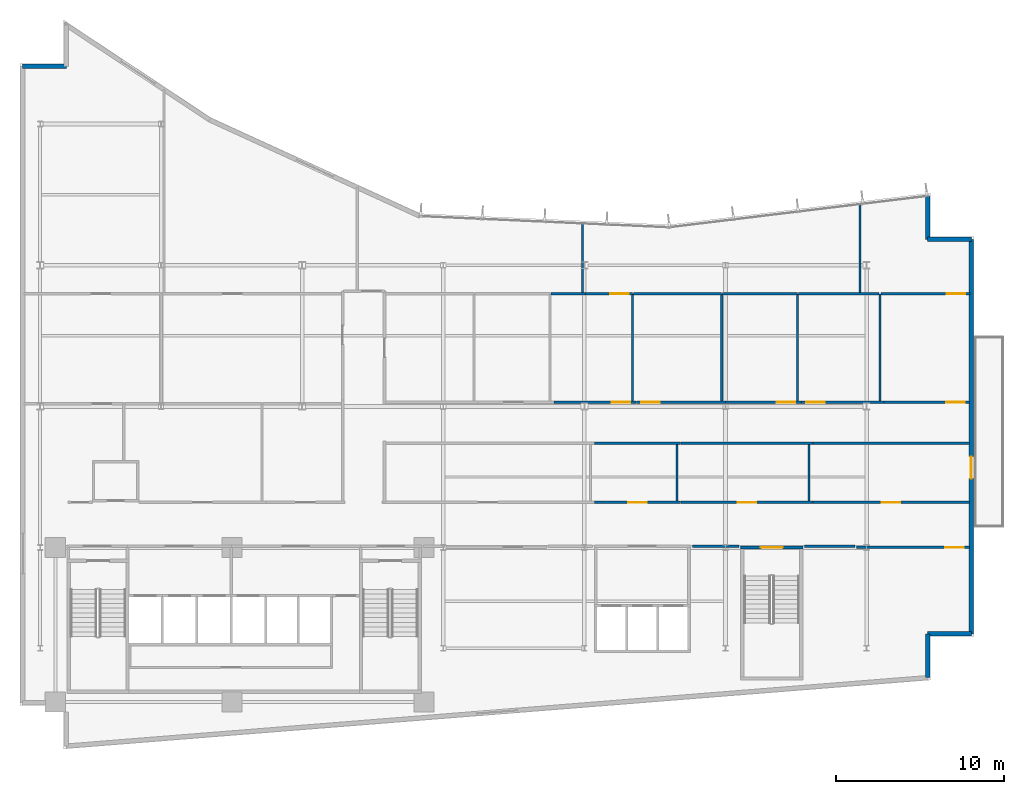
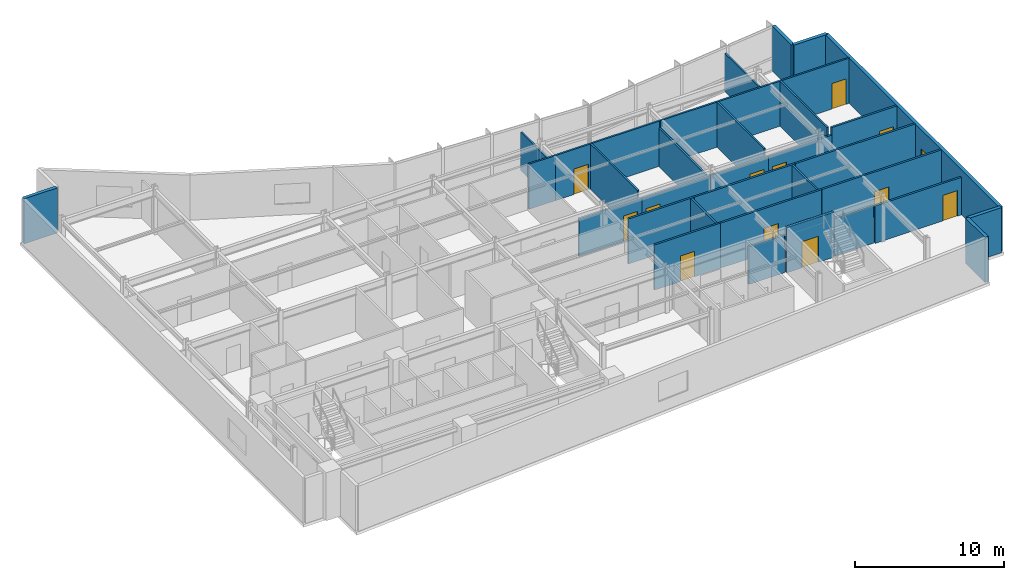
# One storey, part 11 of 17: 35 walls, 13 doors, 13 openings.
"""IFC4 building model written with IfcOpenShell, lengths in metres."""

from ifc_helpers import new_model, si_unit, direction, frame, frame_2d, origin, place, context, subcontext, project, spatial, rectangle, extrude, material, layer, layer_set, type_object, element, fill, save


model = new_model("IFC4")

# Units and contexts
model_context = context("Model", 3, precision=1e-05, world=origin(), true_north=direction((0.0, 1.0)))
body_context = subcontext(model_context, "Body", "Model", "MODEL_VIEW")
ifc_project = project(units=[si_unit("LENGTHUNIT", "METRE"), si_unit("AREAUNIT", "SQUARE_METRE"), si_unit("VOLUMEUNIT", "CUBIC_METRE"), si_unit("PLANEANGLEUNIT", "RADIAN"), si_unit("MASSUNIT", "GRAM", prefix="KILO")], contexts=[model_context])

# Site, building, storey
site_placement = place(None, origin())
site = spatial("IfcSite", under=ifc_project, at=site_placement, CompositionType="ELEMENT")
building_placement = place(site_placement, origin())
building = spatial("IfcBuilding", under=site, at=building_placement, Name="Varnakote Quay Hospital", CompositionType="ELEMENT")
storey_placement = place(building_placement, frame((0.0, 0.0, 134.949951171875)))
storey = spatial("IfcBuildingStorey", under=building, at=storey_placement, Name="L33", CompositionType="ELEMENT", Elevation=134.949951171875)

# Walls
ifc_material_1 = material(Name="Fire-rated acoustic gypsum stud wall", Category="gypsum")
ifc_layer_1 = layer(ifc_material_1, 0.159912109375)
ifc_layer_set_1 = layer_set([ifc_layer_1], Name="Fire-rated acoustic gypsum stud wall")
wall_type_1 = type_object("IfcWallType", Name="WL-COMP-160", PredefinedType="PARTITIONING", material=ifc_layer_set_1)
wall_1_placement = place(storey_placement, frame((40.030029296875, 12.080078125, 0.0), z_axis=(0.0, 0.0, 1.0), x_axis=(1.0, 0.0, 0.0)))
element("IfcWall", 1, at=wall_1_placement, inside=storey, type_object=wall_type_1, Name="L33 Corridor South Gap Wall", PredefinedType="PARTITIONING", context=body_context, shape_type="SweptSolid", body=[
    extrude(rectangle(XDim=2.78076171875, YDim=0.159912109375, at=frame_2d((1.390380859375, 0.0))), origin(), (0.0, 0.0, 1.0), 3.0830078125),
])
wall_2_placement = place(storey_placement, frame((46.689208984375, 12.080078125, 0.0), z_axis=(0.0, 0.0, 1.0), x_axis=(1.0, 0.0, 0.0)))
element("IfcWall", 2, at=wall_2_placement, inside=storey, type_object=wall_type_1, Name="L33 Corridor South Gap Wall", PredefinedType="PARTITIONING", context=body_context, shape_type="SweptSolid", body=[
    extrude(rectangle(XDim=3.0107421875, YDim=0.159912109375, at=frame_2d((1.50537109375, 0.0))), origin(), (0.0, 0.0, 1.0), 3.0830078125),
])
ifc_material_2 = material(Name="Precast concrete N50 (f'c 50 MPa)", Category="concrete")
ifc_layer_2 = layer(ifc_material_2, 0.260009765625)
ifc_layer_set_2 = layer_set([ifc_layer_2], Name="Precast concrete N50 (f'c 50 MPa)")
wall_type_2 = type_object("IfcWallType", Name="WL-EXT-BRICK-260", PredefinedType="STANDARD", material=ifc_layer_set_2)
wall_3_placement = place(storey_placement, frame((54.0400390625, 4.247802734375, 0.0), z_axis=(0.0, 0.0, 1.0), x_axis=(0.0, 1.0, 0.0)))
element("IfcWall", 3, at=wall_3_placement, inside=storey, type_object=wall_type_2, Name="L33 Brick-Faced Precast Exterior Wall", PredefinedType="STANDARD", context=body_context, shape_type="SweptSolid", body=[
    extrude(rectangle(XDim=2.6123046875, YDim=0.260009765625, at=frame_2d((1.30615234375, 0.0))), origin(), (0.0, 0.0, 1.0), 3.7099609375),
])
wall_4_placement = place(storey_placement, frame((54.0400390625, 6.860107421875, 0.0), z_axis=(0.0, 0.0, 1.0), x_axis=(1.0, 0.0, 0.0)))
element("IfcWall", 4, at=wall_4_placement, inside=storey, type_object=wall_type_2, Name="L33 Brick-Faced Precast Exterior Wall", PredefinedType="STANDARD", context=body_context, shape_type="SweptSolid", body=[
    extrude(rectangle(XDim=2.599853515625, YDim=0.260009765625, at=frame_2d((1.2998046875, 0.0))), origin(), (0.0, 0.0, 1.0), 3.7099609375),
])

# Wall, opening, door
wall_5_placement = place(storey_placement, frame((56.639892578125, 6.860107421875, 0.0), z_axis=(0.0, 0.0, 1.0), x_axis=(0.0, 1.0, 0.0)))
wall_5 = element("IfcWall", 5, at=wall_5_placement, inside=storey, type_object=wall_type_2, Name="L33 Healing Terrace Portal Brick Wall", PredefinedType="STANDARD", context=body_context, shape_type="SweptSolid", body=[
    extrude(rectangle(XDim=23.47998046875, YDim=0.260009765625, at=frame_2d((11.739990234375, 0.0))), origin(), (0.0, 0.0, 1.0), 3.7099609375),
])
opening_1_placement = place(wall_5_placement, frame((9.239990234375, 0.0, 0.0)))
opening_1 = element("IfcOpeningElement", 6, at=opening_1_placement, cuts=wall_5, Name="Opening DT-L33", PredefinedType="OPENING", context=body_context, shape_type="SweptSolid", body=[
    extrude(rectangle(XDim=1.300048828125, YDim=2.14990234375, at=frame_2d((0.64990234375, 1.074951171875))), frame((0.0, 0.139892578125, 0.0), z_axis=(0.0, -1.0, 0.0), x_axis=(1.0, 0.0, 0.0)), (0.0, 0.0, 1.0), 0.280029296875),
])
ifc_material_3 = material(Name="Anodised aluminium glazed terrace door", Category="aluminium")
door_type_1 = type_object("IfcDoorType", Name="DR-EXT-TERR-1300x2150", OperationType="NOTDEFINED", PredefinedType="DOOR", material=ifc_material_3)
door_1_placement = place(opening_1_placement, origin())
door_1 = element("IfcDoor", 7, at=door_1_placement, inside=storey, type_object=door_type_1, Name="L33 Waterfront Healing Terrace Door", OperationType="SINGLE_SWING_RIGHT", OverallHeight=2.14990234375, OverallWidth=1.300048828125, PredefinedType="DOOR", context=body_context, shape_type="SweptSolid", body=[
    extrude(rectangle(XDim=1.300048828125, YDim=2.14990234375, at=frame_2d((0.64990234375, 1.074951171875))), frame((0.0, 0.02490234375, 0.0), z_axis=(0.0, -1.0, 0.0), x_axis=(1.0, 0.0, 0.0)), (0.0, 0.0, 1.0), 0.050048828125),
])
fill(opening_1, door_1)

# Walls
wall_6_placement = place(storey_placement, frame((56.639892578125, 30.340087890625, 0.0), z_axis=(0.0, 0.0, 1.0), x_axis=(-1.0, 0.0, 0.0)))
element("IfcWall", 8, at=wall_6_placement, inside=storey, type_object=wall_type_2, Name="L33 Brick-Faced Precast Exterior Wall", PredefinedType="STANDARD", context=body_context, shape_type="SweptSolid", body=[
    extrude(rectangle(XDim=2.599853515625, YDim=0.260009765625, at=frame_2d((1.2998046875, 0.0))), origin(), (0.0, 0.0, 1.0), 3.7099609375),
])
wall_7_placement = place(storey_placement, frame((54.0400390625, 30.340087890625, 0.0), z_axis=(0.0, 0.0, 1.0), x_axis=(0.0, 1.0, 0.0)))
element("IfcWall", 9, at=wall_7_placement, inside=storey, type_object=wall_type_2, Name="L33 Brick-Faced Precast Exterior Wall", PredefinedType="STANDARD", context=body_context, shape_type="SweptSolid", body=[
    extrude(rectangle(XDim=2.579345703125, YDim=0.260009765625, at=frame_2d((1.28955078125, 0.0))), origin(), (0.0, 0.0, 1.0), 3.7099609375),
])
wall_8_placement = place(storey_placement, frame((2.760009765625, 40.639892578125, 0.0), z_axis=(0.0, 0.0, 1.0), x_axis=(-1.0, 0.0, 0.0)))
element("IfcWall", 10, at=wall_8_placement, inside=storey, type_object=wall_type_2, Name="L33 Brick-Faced Precast Exterior Wall", PredefinedType="STANDARD", context=body_context, shape_type="SweptSolid", body=[
    extrude(rectangle(XDim=2.60009765625, YDim=0.260009765625, at=frame_2d((1.300048828125, 0.0))), origin(), (0.0, 0.0, 1.0), 3.7099609375),
])

# Wall, opening, door
ifc_material_4 = material(Name="Concrete N50 (f'c 50 MPa)", Category="concrete")
ifc_layer_3 = layer(ifc_material_4, 0.199951171875)
ifc_layer_set_3 = layer_set([ifc_layer_3], Name="Concrete N50 (f'c 50 MPa)")
wall_type_3 = type_object("IfcWallType", Name="WL-SHAFT-N50-200", PredefinedType="SHEAR", material=ifc_layer_set_3)
wall_9_placement = place(storey_placement, frame((42.89990234375, 12.0, 0.0), z_axis=(0.0, 0.0, 1.0), x_axis=(1.0, 0.0, 0.0)))
wall_9 = element("IfcWall", 11, at=wall_9_placement, inside=storey, type_object=wall_type_3, Name="L33 Stair ST3 Exit Wall", PredefinedType="SHEAR", context=body_context, shape_type="SweptSolid", body=[
    extrude(rectangle(XDim=3.7001953125, YDim=0.199951171875, at=frame_2d((1.85009765625, 0.0))), origin(), (0.0, 0.0, 1.0), 3.7099609375),
])
opening_2_placement = place(wall_9_placement, frame((1.199951171875, 0.0, 0.0)))
opening_2 = element("IfcOpeningElement", 12, at=opening_2_placement, cuts=wall_9, Name="Opening D-ST3-L33", PredefinedType="OPENING", context=body_context, shape_type="SweptSolid", body=[
    extrude(rectangle(XDim=1.300048828125, YDim=2.14990234375, at=frame_2d((0.64990234375, 1.074951171875))), frame((0.0, 0.10986328125, 0.0), z_axis=(0.0, -1.0, 0.0), x_axis=(1.0, 0.0, 0.0)), (0.0, 0.0, 1.0), 0.219970703125),
])
ifc_material_5 = material(Name="Fire-rated ceramic-glazed timber exit door", Category="wood")
door_type_2 = type_object("IfcDoorType", Name="DR-STAIR-FD60S-1300x2150", OperationType="NOTDEFINED", PredefinedType="DOOR", material=ifc_material_5)
door_2_placement = place(opening_2_placement, origin())
door_2 = element("IfcDoor", 13, at=door_2_placement, inside=storey, type_object=door_type_2, Name="L33 Stair ST3 Fire Exit Door", OperationType="SINGLE_SWING_RIGHT", OverallHeight=2.14990234375, OverallWidth=1.300048828125, PredefinedType="DOOR", context=body_context, shape_type="SweptSolid", body=[
    extrude(rectangle(XDim=1.300048828125, YDim=2.14990234375, at=frame_2d((0.64990234375, 1.074951171875))), frame((0.0, 0.02490234375, 0.0), z_axis=(0.0, -1.0, 0.0), x_axis=(1.0, 0.0, 0.0)), (0.0, 0.0, 1.0), 0.050048828125),
])
fill(opening_2, door_2)

# Walls
ifc_material_6 = material(Name="Smoke-proof clinical partition", Category="gypsum")
ifc_layer_4 = layer(ifc_material_6, 0.135009765625)
ifc_layer_set_4 = layer_set([ifc_layer_4], Name="Smoke-proof clinical partition")
wall_type_4 = type_object("IfcWallType", Name="WL-SMOKE-135", PredefinedType="PARTITIONING", material=ifc_layer_set_4)
for number, where, z_axis, x_axis, name in (
    (14, (39.110107421875, 14.760009765625, 0.0), (0.0, 0.0, 1.0), (0.0, 1.0, 0.0), "L33 Clinical Interior Partition"),
    (15, (46.969970703125, 14.760009765625, 0.0), (0.0, 0.0, 1.0), (0.0, 1.0, 0.0), "L33 Clinical Interior Partition"),
):
    element("IfcWall", number, at=place(storey_placement, frame(where, z_axis=z_axis, x_axis=x_axis)), inside=storey, type_object=wall_type_4, Name=name, PredefinedType="PARTITIONING", context=body_context, shape_type="SweptSolid", body=[
        extrude(rectangle(XDim=3.360107421875, YDim=0.135009765625, at=frame_2d((1.68017578125, 0.0))), origin(), (0.0, 0.0, 1.0), 3.7099609375),
    ])
wall_10_placement = place(storey_placement, frame((36.4599609375, 20.715087890625, 0.0), z_axis=(0.0, 0.0, 1.0), x_axis=(0.0, 1.0, 0.0)))
element("IfcWall", 16, at=wall_10_placement, inside=storey, type_object=wall_type_4, Name="L33 Clinical Interior Partition", PredefinedType="PARTITIONING", context=body_context, shape_type="SweptSolid", body=[
    extrude(rectangle(XDim=6.385009765625, YDim=0.135009765625, at=frame_2d((3.1923828125, 0.0))), origin(), (0.0, 0.0, 1.0), 3.7099609375),
])
wall_11_placement = place(storey_placement, frame((33.66845703125, 27.10009765625, 0.0), z_axis=(0.0, 0.0, 1.0), x_axis=(-1.0, 0.0, 0.0)))
element("IfcWall", 17, at=wall_11_placement, inside=storey, type_object=wall_type_4, Name="L33 Clinical Interior Partition", PredefinedType="PARTITIONING", context=body_context, shape_type="SweptSolid", body=[
    extrude(rectangle(XDim=2.06103515625, YDim=0.135009765625, at=frame_2d((1.030517578125, 0.0))), origin(), (0.0, 0.0, 1.0), 3.7099609375),
])

# Wall, opening, door
wall_12_placement = place(storey_placement, frame((36.4599609375, 27.10009765625, 0.0), z_axis=(0.0, 0.0, 1.0), x_axis=(-1.0, 0.0, 0.0)))
wall_12 = element("IfcWall", 18, at=wall_12_placement, inside=storey, type_object=wall_type_4, Name="L33 Clinical Interior Partition", PredefinedType="PARTITIONING", context=body_context, shape_type="SweptSolid", body=[
    extrude(rectangle(XDim=2.78955078125, YDim=0.135009765625, at=frame_2d((1.394775390625, 0.0))), origin(), (0.0, 0.0, 1.0), 3.7099609375),
])
opening_3_placement = place(wall_12_placement, frame((0.232177734375, 0.0, 0.0)))
opening_3 = element("IfcOpeningElement", 19, at=opening_3_placement, cuts=wall_12, Name="Opening D-L33-MD19", PredefinedType="OPENING", context=body_context, shape_type="SweptSolid", body=[
    extrude(rectangle(XDim=1.10009765625, YDim=2.10009765625, at=frame_2d((0.550048828125, 1.050048828125))), frame((0.0, 0.077392578125, 0.0), z_axis=(0.0, -1.0, 0.0), x_axis=(1.0, 0.0, 0.0)), (0.0, 0.0, 1.0), 0.155029296875),
])
ifc_material_7 = material(Name="Acoustic timber clinical consult door", Category="wood")
door_type_3 = type_object("IfcDoorType", Name="DR-CLIN-FD30S-1100x2100", OperationType="NOTDEFINED", PredefinedType="DOOR", material=ifc_material_7)
door_3_placement = place(opening_3_placement, origin())
door_3 = element("IfcDoor", 20, at=door_3_placement, inside=storey, type_object=door_type_3, Name="L33 Ward Nutrition Pantry Door", OperationType="SINGLE_SWING_LEFT", OverallHeight=2.10009765625, OverallWidth=1.10009765625, PredefinedType="DOOR", context=body_context, shape_type="SweptSolid", body=[
    extrude(rectangle(XDim=1.10009765625, YDim=2.10009765625, at=frame_2d((0.550048828125, 1.050048828125))), frame((0.0, 0.02490234375, 0.0), z_axis=(0.0, -1.0, 0.0), x_axis=(1.0, 0.0, 0.0)), (0.0, 0.0, 1.0), 0.050048828125),
])
fill(opening_3, door_3)

# Walls
wall_13_placement = place(storey_placement, frame((41.77001953125, 20.715087890625, 0.0), z_axis=(0.0, 0.0, 1.0), x_axis=(0.0, 1.0, 0.0)))
element("IfcWall", 21, at=wall_13_placement, inside=storey, type_object=wall_type_4, Name="L33 Clinical Interior Partition", PredefinedType="PARTITIONING", context=body_context, shape_type="SweptSolid", body=[
    extrude(rectangle(XDim=6.385009765625, YDim=0.135009765625, at=frame_2d((3.1923828125, 0.0))), origin(), (0.0, 0.0, 1.0), 3.152099609375),
])
wall_14_placement = place(storey_placement, frame((41.77001953125, 27.10009765625, 0.0), z_axis=(0.0, 0.0, 1.0), x_axis=(-1.0, 0.0, 0.0)))
element("IfcWall", 22, at=wall_14_placement, inside=storey, type_object=wall_type_4, Name="L33 Clinical Interior Partition", PredefinedType="PARTITIONING", context=body_context, shape_type="SweptSolid", body=[
    extrude(rectangle(XDim=5.25244140625, YDim=0.135009765625, at=frame_2d((2.626220703125, 0.0))), origin(), (0.0, 0.0, 1.0), 3.7099609375),
])
wall_15_placement = place(storey_placement, frame((46.2900390625, 20.715087890625, 0.0), z_axis=(0.0, 0.0, 1.0), x_axis=(0.0, 1.0, 0.0)))
element("IfcWall", 23, at=wall_15_placement, inside=storey, type_object=wall_type_4, Name="L33 Clinical Interior Partition", PredefinedType="PARTITIONING", context=body_context, shape_type="SweptSolid", body=[
    extrude(rectangle(XDim=6.385009765625, YDim=0.135009765625, at=frame_2d((3.1923828125, 0.0))), origin(), (0.0, 0.0, 1.0), 3.7099609375),
])
wall_16_placement = place(storey_placement, frame((46.2900390625, 27.10009765625, 0.0), z_axis=(0.0, 0.0, 1.0), x_axis=(-1.0, 0.0, 0.0)))
element("IfcWall", 24, at=wall_16_placement, inside=storey, type_object=wall_type_4, Name="L33 Clinical Interior Partition", PredefinedType="PARTITIONING", context=body_context, shape_type="SweptSolid", body=[
    extrude(rectangle(XDim=4.462646484375, YDim=0.135009765625, at=frame_2d((2.2314453125, 0.0))), origin(), (0.0, 0.0, 1.0), 3.7099609375),
])
wall_17_placement = place(storey_placement, frame((51.199951171875, 20.715087890625, 0.0), z_axis=(0.0, 0.0, 1.0), x_axis=(0.0, 1.0, 0.0)))
element("IfcWall", 25, at=wall_17_placement, inside=storey, type_object=wall_type_4, Name="L33 Clinical Interior Partition", PredefinedType="PARTITIONING", context=body_context, shape_type="SweptSolid", body=[
    extrude(rectangle(XDim=6.385009765625, YDim=0.135009765625, at=frame_2d((3.1923828125, 0.0))), origin(), (0.0, 0.0, 1.0), 3.7099609375),
])
wall_18_placement = place(storey_placement, frame((51.142578125, 27.10009765625, 0.0), z_axis=(0.0, 0.0, 1.0), x_axis=(-1.0, 0.0, 0.0)))
element("IfcWall", 26, at=wall_18_placement, inside=storey, type_object=wall_type_4, Name="L33 Clinical Interior Partition", PredefinedType="PARTITIONING", context=body_context, shape_type="SweptSolid", body=[
    extrude(rectangle(XDim=4.795166015625, YDim=0.135009765625, at=frame_2d((2.3974609375, 0.0))), origin(), (0.0, 0.0, 1.0), 3.7099609375),
])

# Wall, opening, door
wall_19_placement = place(storey_placement, frame((56.56005859375, 27.10009765625, 0.0), z_axis=(0.0, 0.0, 1.0), x_axis=(-1.0, 0.0, 0.0)))
wall_19 = element("IfcWall", 27, at=wall_19_placement, inside=storey, type_object=wall_type_4, Name="L33 Clinical Interior Partition", PredefinedType="PARTITIONING", context=body_context, shape_type="SweptSolid", body=[
    extrude(rectangle(XDim=5.302490234375, YDim=0.135009765625, at=frame_2d((2.6513671875, 0.0))), origin(), (0.0, 0.0, 1.0), 3.7099609375),
])
opening_4_placement = place(wall_19_placement, frame((0.295166015625, 0.0, 0.0)))
opening_4 = element("IfcOpeningElement", 28, at=opening_4_placement, cuts=wall_19, Name="Opening D-L33-MD20", PredefinedType="OPENING", context=body_context, shape_type="SweptSolid", body=[
    extrude(rectangle(XDim=1.10009765625, YDim=2.10009765625, at=frame_2d((0.550048828125, 1.050048828125))), frame((0.0, 0.077392578125, 0.0), z_axis=(0.0, -1.0, 0.0), x_axis=(1.0, 0.0, 0.0)), (0.0, 0.0, 1.0), 0.155029296875),
])
door_4_placement = place(opening_4_placement, origin())
door_4 = element("IfcDoor", 29, at=door_4_placement, inside=storey, type_object=door_type_3, Name="L33 Clinical Coordinator Office Door", OperationType="SINGLE_SWING_RIGHT", OverallHeight=2.10009765625, OverallWidth=1.10009765625, PredefinedType="DOOR", context=body_context, shape_type="SweptSolid", body=[
    extrude(rectangle(XDim=1.10009765625, YDim=2.10009765625, at=frame_2d((0.550048828125, 1.050048828125))), frame((0.0, 0.02490234375, 0.0), z_axis=(0.0, -1.0, 0.0), x_axis=(1.0, 0.0, 0.0)), (0.0, 0.0, 1.0), 0.050048828125),
])
fill(opening_4, door_4)

# Walls
wall_20_placement = place(storey_placement, frame((33.489990234375, 27.157470703125, 0.0), z_axis=(0.0, 0.0, 1.0), x_axis=(0.0, 1.0, 0.0)))
element("IfcWall", 30, at=wall_20_placement, inside=storey, type_object=wall_type_4, Name="L33 Clinical Interior Partition", PredefinedType="PARTITIONING", context=body_context, shape_type="SweptSolid", body=[
    extrude(rectangle(XDim=4.12451171875, YDim=0.135009765625, at=frame_2d((2.062255859375, 0.0))), origin(), (0.0, 0.0, 1.0), 3.152099609375),
])
wall_21_placement = place(storey_placement, frame((50.010009765625, 27.157470703125, 0.0), z_axis=(0.0, 0.0, 1.0), x_axis=(0.0, 1.0, 0.0)))
element("IfcWall", 31, at=wall_21_placement, inside=storey, type_object=wall_type_4, Name="L33 Clinical Interior Partition", PredefinedType="PARTITIONING", context=body_context, shape_type="SweptSolid", body=[
    extrude(rectangle(XDim=5.2734375, YDim=0.135009765625, at=frame_2d((2.63671875, 0.0))), origin(), (0.0, 0.0, 1.0), 3.152099609375),
])

# Wall, opening, door
ifc_material_8 = material(Name="Fire-rated clinical gypsum partition", Category="gypsum")
ifc_layer_5 = layer(ifc_material_8, 0.14990234375)
ifc_layer_set_5 = layer_set([ifc_layer_5], Name="Fire-rated clinical gypsum partition")
wall_type_5 = type_object("IfcWallType", Name="WL-WARD-150", PredefinedType="PARTITIONING", material=ifc_layer_set_5)
wall_22_placement = place(storey_placement, frame((56.52001953125, 12.0, 0.0), z_axis=(0.0, 0.0, 1.0), x_axis=(-1.0, 0.0, 0.0)))
wall_22 = element("IfcWall", 32, at=wall_22_placement, inside=storey, type_object=wall_type_5, Name="L33 Clinical Interior Partition", PredefinedType="PARTITIONING", context=body_context, shape_type="SweptSolid", body=[
    extrude(rectangle(XDim=6.719970703125, YDim=0.14990234375, at=frame_2d((3.35986328125, 0.0))), origin(), (0.0, 0.0, 1.0), 3.0830078125),
])
opening_5_placement = place(wall_22_placement, frame((0.33056640625, 0.0, 0.0)))
opening_5 = element("IfcOpeningElement", 33, at=opening_5_placement, cuts=wall_22, Name="Opening D-L33-SE1", PredefinedType="OPENING", context=body_context, shape_type="SweptSolid", body=[
    extrude(rectangle(XDim=1.10009765625, YDim=2.10009765625, at=frame_2d((0.550048828125, 1.050048828125))), frame((0.0, 0.0849609375, 0.0), z_axis=(0.0, -1.0, 0.0), x_axis=(1.0, 0.0, 0.0)), (0.0, 0.0, 1.0), 0.169921875),
])
door_5_placement = place(opening_5_placement, origin())
door_5 = element("IfcDoor", 34, at=door_5_placement, inside=storey, type_object=door_type_3, Name="L33 Clinical Biomedical Engineering Office Door", OperationType="SINGLE_SWING_LEFT", OverallHeight=2.10009765625, OverallWidth=1.10009765625, PredefinedType="DOOR", context=body_context, shape_type="SweptSolid", body=[
    extrude(rectangle(XDim=1.10009765625, YDim=2.10009765625, at=frame_2d((0.550048828125, 1.050048828125))), frame((0.0, 0.02490234375, 0.0), z_axis=(0.0, -1.0, 0.0), x_axis=(1.0, 0.0, 0.0)), (0.0, 0.0, 1.0), 0.050048828125),
])
fill(opening_5, door_5)

wall_23_placement = place(storey_placement, frame((39.3359375, 14.679931640625, 0.0), z_axis=(0.0, 0.0, 1.0), x_axis=(-1.0, 0.0, 0.0)))
wall_23 = element("IfcWall", 35, at=wall_23_placement, inside=storey, type_object=wall_type_5, Name="L33 Clinical Interior Partition", PredefinedType="PARTITIONING", context=body_context, shape_type="SweptSolid", body=[
    extrude(rectangle(XDim=5.137939453125, YDim=0.14990234375, at=frame_2d((2.56884765625, 0.0))), origin(), (0.0, 0.0, 1.0), 3.7099609375),
])
opening_6_placement = place(wall_23_placement, frame((2.01904296875, 0.0, 0.0)))
opening_6 = element("IfcOpeningElement", 36, at=opening_6_placement, cuts=wall_23, Name="Opening D-L33-MD05", PredefinedType="OPENING", context=body_context, shape_type="SweptSolid", body=[
    extrude(rectangle(XDim=1.10009765625, YDim=2.10009765625, at=frame_2d((0.550048828125, 1.050048828125))), frame((0.0, 0.0849609375, 0.0), z_axis=(0.0, -1.0, 0.0), x_axis=(1.0, 0.0, 0.0)), (0.0, 0.0, 1.0), 0.169921875),
])
door_6_placement = place(opening_6_placement, origin())
door_6 = element("IfcDoor", 37, at=door_6_placement, inside=storey, type_object=door_type_3, Name="L33 Day Procedure Treatment Suite Door", OperationType="SINGLE_SWING_RIGHT", OverallHeight=2.10009765625, OverallWidth=1.10009765625, PredefinedType="DOOR", context=body_context, shape_type="SweptSolid", body=[
    extrude(rectangle(XDim=1.10009765625, YDim=2.10009765625, at=frame_2d((0.550048828125, 1.050048828125))), frame((0.0, 0.02490234375, 0.0), z_axis=(0.0, -1.0, 0.0), x_axis=(1.0, 0.0, 0.0)), (0.0, 0.0, 1.0), 0.050048828125),
])
fill(opening_6, door_6)

wall_24_placement = place(storey_placement, frame((47.196044921875, 14.679931640625, 0.0), z_axis=(0.0, 0.0, 1.0), x_axis=(-1.0, 0.0, 0.0)))
wall_24 = element("IfcWall", 38, at=wall_24_placement, inside=storey, type_object=wall_type_5, Name="L33 Clinical Interior Partition", PredefinedType="PARTITIONING", context=body_context, shape_type="SweptSolid", body=[
    extrude(rectangle(XDim=7.858154296875, YDim=0.14990234375, at=frame_2d((3.92919921875, 0.0))), origin(), (0.0, 0.0, 1.0), 3.7099609375),
])
opening_7_placement = place(wall_24_placement, frame((3.37890625, 0.0, 0.0)))
opening_7 = element("IfcOpeningElement", 39, at=opening_7_placement, cuts=wall_24, Name="Opening D-L33-MD06", PredefinedType="OPENING", context=body_context, shape_type="SweptSolid", body=[
    extrude(rectangle(XDim=1.10009765625, YDim=2.10009765625, at=frame_2d((0.550048828125, 1.050048828125))), frame((0.0, 0.0849609375, 0.0), z_axis=(0.0, -1.0, 0.0), x_axis=(1.0, 0.0, 0.0)), (0.0, 0.0, 1.0), 0.169921875),
])
door_7_placement = place(opening_7_placement, origin())
door_7 = element("IfcDoor", 40, at=door_7_placement, inside=storey, type_object=door_type_3, Name="L33 Endoscopy Infusion Treatment Suite Door", OperationType="SINGLE_SWING_LEFT", OverallHeight=2.10009765625, OverallWidth=1.10009765625, PredefinedType="DOOR", context=body_context, shape_type="SweptSolid", body=[
    extrude(rectangle(XDim=1.10009765625, YDim=2.10009765625, at=frame_2d((0.550048828125, 1.050048828125))), frame((0.0, 0.02490234375, 0.0), z_axis=(0.0, -1.0, 0.0), x_axis=(1.0, 0.0, 0.0)), (0.0, 0.0, 1.0), 0.050048828125),
])
fill(opening_7, door_7)

wall_25_placement = place(storey_placement, frame((56.52001953125, 14.679931640625, 0.0), z_axis=(0.0, 0.0, 1.0), x_axis=(-1.0, 0.0, 0.0)))
wall_25 = element("IfcWall", 41, at=wall_25_placement, inside=storey, type_object=wall_type_5, Name="L33 Clinical Interior Partition", PredefinedType="PARTITIONING", context=body_context, shape_type="SweptSolid", body=[
    extrude(rectangle(XDim=9.322021484375, YDim=0.14990234375, at=frame_2d((4.6611328125, 0.0))), origin(), (0.0, 0.0, 1.0), 3.7099609375),
])
opening_8_placement = place(wall_25_placement, frame((4.111083984375, 0.0, 0.0)))
opening_8 = element("IfcOpeningElement", 42, at=opening_8_placement, cuts=wall_25, Name="Opening D-L33-MD07", PredefinedType="OPENING", context=body_context, shape_type="SweptSolid", body=[
    extrude(rectangle(XDim=1.10009765625, YDim=2.10009765625, at=frame_2d((0.550048828125, 1.050048828125))), frame((0.0, 0.0849609375, 0.0), z_axis=(0.0, -1.0, 0.0), x_axis=(1.0, 0.0, 0.0)), (0.0, 0.0, 1.0), 0.169921875),
])
door_8_placement = place(opening_8_placement, origin())
door_8 = element("IfcDoor", 43, at=door_8_placement, inside=storey, type_object=door_type_3, Name="L33 Ward Nutrition Pantry Door", OperationType="SINGLE_SWING_RIGHT", OverallHeight=2.10009765625, OverallWidth=1.10009765625, PredefinedType="DOOR", context=body_context, shape_type="SweptSolid", body=[
    extrude(rectangle(XDim=1.10009765625, YDim=2.10009765625, at=frame_2d((0.550048828125, 1.050048828125))), frame((0.0, 0.02490234375, 0.0), z_axis=(0.0, -1.0, 0.0), x_axis=(1.0, 0.0, 0.0)), (0.0, 0.0, 1.0), 0.050048828125),
])
fill(opening_8, door_8)

# Walls
wall_26_placement = place(storey_placement, frame((34.197998046875, 18.199951171875, 0.0), z_axis=(0.0, 0.0, 1.0), x_axis=(1.0, 0.0, 0.0)))
element("IfcWall", 44, at=wall_26_placement, inside=storey, type_object=wall_type_5, Name="L33 Clinical Interior Partition", PredefinedType="PARTITIONING", context=body_context, shape_type="SweptSolid", body=[
    extrude(rectangle(XDim=5.137939453125, YDim=0.14990234375, at=frame_2d((2.56884765625, 0.0))), origin(), (0.0, 0.0, 1.0), 3.7099609375),
])
wall_27_placement = place(storey_placement, frame((39.337890625, 18.199951171875, 0.0), z_axis=(0.0, 0.0, 1.0), x_axis=(1.0, 0.0, 0.0)))
element("IfcWall", 45, at=wall_27_placement, inside=storey, type_object=wall_type_5, Name="L33 Clinical Interior Partition", PredefinedType="PARTITIONING", context=body_context, shape_type="SweptSolid", body=[
    extrude(rectangle(XDim=7.858154296875, YDim=0.14990234375, at=frame_2d((3.92919921875, 0.0))), origin(), (0.0, 0.0, 1.0), 3.7099609375),
])
wall_28_placement = place(storey_placement, frame((47.197998046875, 18.199951171875, 0.0), z_axis=(0.0, 0.0, 1.0), x_axis=(1.0, 0.0, 0.0)))
element("IfcWall", 46, at=wall_28_placement, inside=storey, type_object=wall_type_5, Name="L33 Clinical Interior Partition", PredefinedType="PARTITIONING", context=body_context, shape_type="SweptSolid", body=[
    extrude(rectangle(XDim=9.322021484375, YDim=0.14990234375, at=frame_2d((4.6611328125, 0.0))), origin(), (0.0, 0.0, 1.0), 3.7099609375),
])

# Wall, opening, door
wall_29_placement = place(storey_placement, frame((36.68603515625, 20.64990234375, 0.0), z_axis=(0.0, 0.0, 1.0), x_axis=(-1.0, 0.0, 0.0)))
wall_29 = element("IfcWall", 47, at=wall_29_placement, inside=storey, type_object=wall_type_5, Name="L33 Clinical Interior Partition", PredefinedType="PARTITIONING", context=body_context, shape_type="SweptSolid", body=[
    extrude(rectangle(XDim=4.907958984375, YDim=0.14990234375, at=frame_2d((2.4541015625, 0.0))), origin(), (0.0, 0.0, 1.0), 3.0830078125),
])
opening_9_placement = place(wall_29_placement, frame((0.370361328125, 0.0, 0.0)))
opening_9 = element("IfcOpeningElement", 48, at=opening_9_placement, cuts=wall_29, Name="Opening D-L33-MD12", PredefinedType="OPENING", context=body_context, shape_type="SweptSolid", body=[
    extrude(rectangle(XDim=1.10009765625, YDim=2.10009765625, at=frame_2d((0.550048828125, 1.050048828125))), frame((0.0, 0.0849609375, 0.0), z_axis=(0.0, -1.0, 0.0), x_axis=(1.0, 0.0, 0.0)), (0.0, 0.0, 1.0), 0.169921875),
])
door_9_placement = place(opening_9_placement, origin())
door_9 = element("IfcDoor", 49, at=door_9_placement, inside=storey, type_object=door_type_3, Name="L33 Clinical Coordinator Office Door", OperationType="SINGLE_SWING_LEFT", OverallHeight=2.10009765625, OverallWidth=1.10009765625, PredefinedType="DOOR", context=body_context, shape_type="SweptSolid", body=[
    extrude(rectangle(XDim=1.10009765625, YDim=2.10009765625, at=frame_2d((0.550048828125, 1.050048828125))), frame((0.0, 0.02490234375, 0.0), z_axis=(0.0, -1.0, 0.0), x_axis=(1.0, 0.0, 0.0)), (0.0, 0.0, 1.0), 0.050048828125),
])
fill(opening_9, door_9)

wall_30_placement = place(storey_placement, frame((41.99609375, 20.64990234375, 0.0), z_axis=(0.0, 0.0, 1.0), x_axis=(-1.0, 0.0, 0.0)))
wall_30 = element("IfcWall", 50, at=wall_30_placement, inside=storey, type_object=wall_type_5, Name="L33 Clinical Interior Partition", PredefinedType="PARTITIONING", context=body_context, shape_type="SweptSolid", body=[
    extrude(rectangle(XDim=5.30810546875, YDim=0.14990234375, at=frame_2d((2.654052734375, 0.0))), origin(), (0.0, 0.0, 1.0), 3.0830078125),
])
opening_10_placement = place(wall_30_placement, frame((3.912841796875, 0.0, 0.0)))
opening_10 = element("IfcOpeningElement", 51, at=opening_10_placement, cuts=wall_30, Name="Opening D-L33-MD13", PredefinedType="OPENING", context=body_context, shape_type="SweptSolid", body=[
    extrude(rectangle(XDim=1.10009765625, YDim=2.10009765625, at=frame_2d((0.550048828125, 1.050048828125))), frame((0.0, 0.0849609375, 0.0), z_axis=(0.0, -1.0, 0.0), x_axis=(1.0, 0.0, 0.0)), (0.0, 0.0, 1.0), 0.169921875),
])
door_10_placement = place(opening_10_placement, origin())
door_10 = element("IfcDoor", 52, at=door_10_placement, inside=storey, type_object=door_type_3, Name="L33 Day Procedure Treatment Suite Door", OperationType="SINGLE_SWING_RIGHT", OverallHeight=2.10009765625, OverallWidth=1.10009765625, PredefinedType="DOOR", context=body_context, shape_type="SweptSolid", body=[
    extrude(rectangle(XDim=1.10009765625, YDim=2.10009765625, at=frame_2d((0.550048828125, 1.050048828125))), frame((0.0, 0.02490234375, 0.0), z_axis=(0.0, -1.0, 0.0), x_axis=(1.0, 0.0, 0.0)), (0.0, 0.0, 1.0), 0.050048828125),
])
fill(opening_10, door_10)

wall_31_placement = place(storey_placement, frame((46.51611328125, 20.64990234375, 0.0), z_axis=(0.0, 0.0, 1.0), x_axis=(-1.0, 0.0, 0.0)))
wall_31 = element("IfcWall", 53, at=wall_31_placement, inside=storey, type_object=wall_type_5, Name="L33 Clinical Interior Partition", PredefinedType="PARTITIONING", context=body_context, shape_type="SweptSolid", body=[
    extrude(rectangle(XDim=4.51806640625, YDim=0.14990234375, at=frame_2d((2.259033203125, 0.0))), origin(), (0.0, 0.0, 1.0), 3.0830078125),
])
opening_11_placement = place(wall_31_placement, frame((0.350830078125, 0.0, 0.0)))
opening_11 = element("IfcOpeningElement", 54, at=opening_11_placement, cuts=wall_31, Name="Opening D-L33-MD14", PredefinedType="OPENING", context=body_context, shape_type="SweptSolid", body=[
    extrude(rectangle(XDim=1.10009765625, YDim=2.10009765625, at=frame_2d((0.550048828125, 1.050048828125))), frame((0.0, 0.0849609375, 0.0), z_axis=(0.0, -1.0, 0.0), x_axis=(1.0, 0.0, 0.0)), (0.0, 0.0, 1.0), 0.169921875),
])
door_11_placement = place(opening_11_placement, origin())
door_11 = element("IfcDoor", 55, at=door_11_placement, inside=storey, type_object=door_type_3, Name="L33 Endoscopy Infusion Treatment Suite Door", OperationType="SINGLE_SWING_LEFT", OverallHeight=2.10009765625, OverallWidth=1.10009765625, PredefinedType="DOOR", context=body_context, shape_type="SweptSolid", body=[
    extrude(rectangle(XDim=1.10009765625, YDim=2.10009765625, at=frame_2d((0.550048828125, 1.050048828125))), frame((0.0, 0.02490234375, 0.0), z_axis=(0.0, -1.0, 0.0), x_axis=(1.0, 0.0, 0.0)), (0.0, 0.0, 1.0), 0.050048828125),
])
fill(opening_11, door_11)

wall_32_placement = place(storey_placement, frame((51.426025390625, 20.64990234375, 0.0), z_axis=(0.0, 0.0, 1.0), x_axis=(-1.0, 0.0, 0.0)))
wall_32 = element("IfcWall", 56, at=wall_32_placement, inside=storey, type_object=wall_type_5, Name="L33 Clinical Interior Partition", PredefinedType="PARTITIONING", context=body_context, shape_type="SweptSolid", body=[
    extrude(rectangle(XDim=4.907958984375, YDim=0.14990234375, at=frame_2d((2.4541015625, 0.0))), origin(), (0.0, 0.0, 1.0), 3.0830078125),
])
opening_12_placement = place(wall_32_placement, frame((3.522705078125, 0.0, 0.0)))
opening_12 = element("IfcOpeningElement", 57, at=opening_12_placement, cuts=wall_32, Name="Opening D-L33-MD15", PredefinedType="OPENING", context=body_context, shape_type="SweptSolid", body=[
    extrude(rectangle(XDim=1.10009765625, YDim=2.10009765625, at=frame_2d((0.550048828125, 1.050048828125))), frame((0.0, 0.0849609375, 0.0), z_axis=(0.0, -1.0, 0.0), x_axis=(1.0, 0.0, 0.0)), (0.0, 0.0, 1.0), 0.169921875),
])
door_12_placement = place(opening_12_placement, origin())
door_12 = element("IfcDoor", 58, at=door_12_placement, inside=storey, type_object=door_type_3, Name="L33 Ward Nutrition Pantry Door", OperationType="SINGLE_SWING_RIGHT", OverallHeight=2.10009765625, OverallWidth=1.10009765625, PredefinedType="DOOR", context=body_context, shape_type="SweptSolid", body=[
    extrude(rectangle(XDim=1.10009765625, YDim=2.10009765625, at=frame_2d((0.550048828125, 1.050048828125))), frame((0.0, 0.02490234375, 0.0), z_axis=(0.0, -1.0, 0.0), x_axis=(1.0, 0.0, 0.0)), (0.0, 0.0, 1.0), 0.050048828125),
])
fill(opening_12, door_12)

wall_33_placement = place(storey_placement, frame((56.52001953125, 20.64990234375, 0.0), z_axis=(0.0, 0.0, 1.0), x_axis=(-1.0, 0.0, 0.0)))
wall_33 = element("IfcWall", 59, at=wall_33_placement, inside=storey, type_object=wall_type_5, Name="L33 Clinical Interior Partition", PredefinedType="PARTITIONING", context=body_context, shape_type="SweptSolid", body=[
    extrude(rectangle(XDim=5.092041015625, YDim=0.14990234375, at=frame_2d((2.5458984375, 0.0))), origin(), (0.0, 0.0, 1.0), 3.7099609375),
])
opening_13_placement = place(wall_33_placement, frame((0.289794921875, 0.0, 0.0)))
opening_13 = element("IfcOpeningElement", 60, at=opening_13_placement, cuts=wall_33, Name="Opening D-L33-DLNG", PredefinedType="OPENING", context=body_context, shape_type="SweptSolid", body=[
    extrude(rectangle(XDim=1.10009765625, YDim=2.10009765625, at=frame_2d((0.550048828125, 1.050048828125))), frame((0.0, 0.0849609375, 0.0), z_axis=(0.0, -1.0, 0.0), x_axis=(1.0, 0.0, 0.0)), (0.0, 0.0, 1.0), 0.169921875),
])
door_13_placement = place(opening_13_placement, origin())
door_13 = element("IfcDoor", 61, at=door_13_placement, inside=storey, type_object=door_type_3, Name="L33 Waterfront Patient & Family Dayroom Door", OperationType="SINGLE_SWING_LEFT", OverallHeight=2.10009765625, OverallWidth=1.10009765625, PredefinedType="DOOR", context=body_context, shape_type="SweptSolid", body=[
    extrude(rectangle(XDim=1.10009765625, YDim=2.10009765625, at=frame_2d((0.550048828125, 1.050048828125))), frame((0.0, 0.02490234375, 0.0), z_axis=(0.0, -1.0, 0.0), x_axis=(1.0, 0.0, 0.0)), (0.0, 0.0, 1.0), 0.050048828125),
])
fill(opening_13, door_13)

save(model, "model.ifc")
